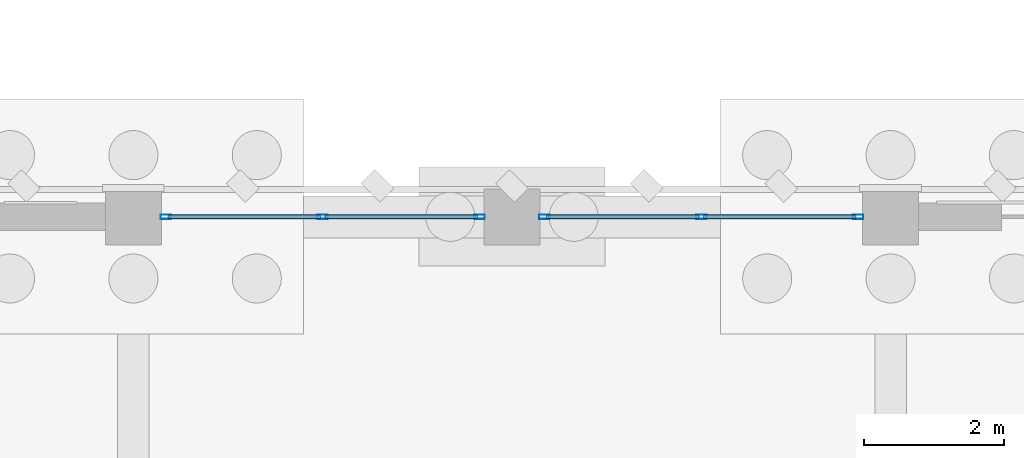
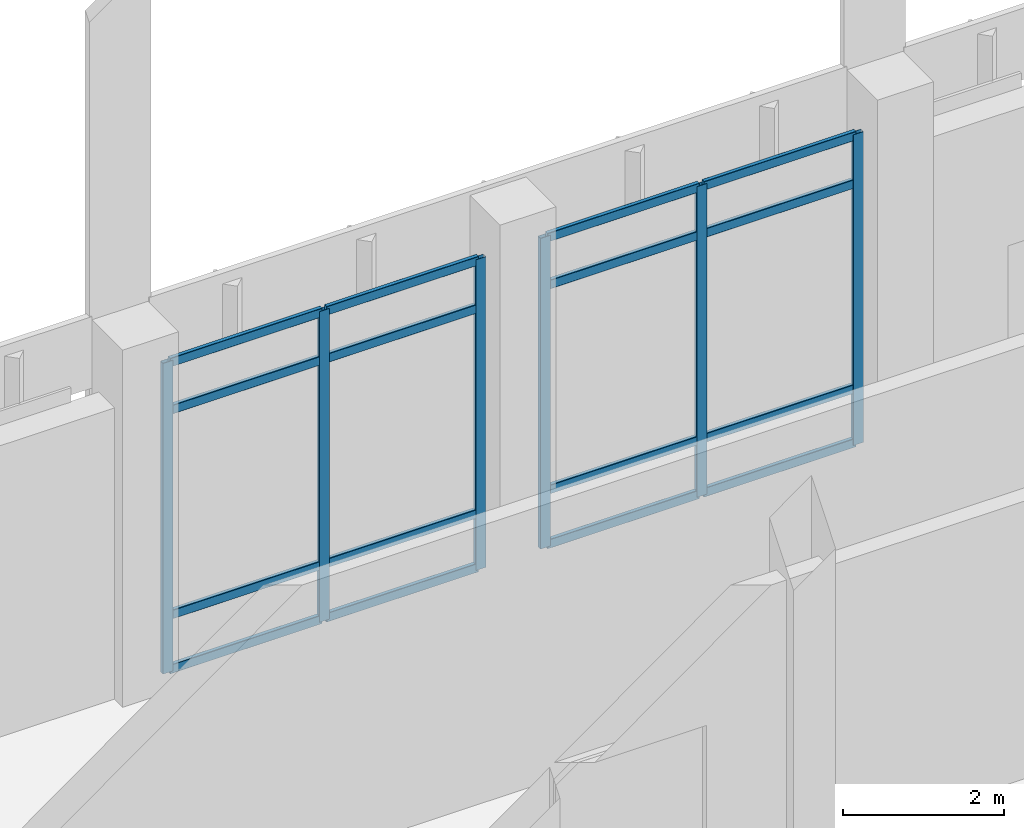
# One storey, part 30 of 109: 22 members, 2 elements without a shape of their own.
"""IFC4 building model written with IfcOpenShell, lengths in metres."""

from ifc_helpers import new_model, si_unit, direction, frame, origin, origin_2d, place, context, subcontext, project, spatial, hollow_rectangle, extrude, material, material_profile, profile_set, type_object, element, aggregate, save


model = new_model("IFC4")

# Units and contexts
model_context = context("Model", 3, precision=1e-05, world=origin(), true_north=direction((0.0, 1.0)))
body_context = subcontext(model_context, "Body", "Model", "MODEL_VIEW")
ifc_project = project(units=[si_unit("LENGTHUNIT", "METRE"), si_unit("AREAUNIT", "SQUARE_METRE"), si_unit("VOLUMEUNIT", "CUBIC_METRE"), si_unit("PLANEANGLEUNIT", "RADIAN"), si_unit("MASSUNIT", "GRAM", prefix="KILO")], contexts=[model_context])

# Site, building, storey
site_placement = place(None, origin())
site = spatial("IfcSite", under=ifc_project, at=site_placement, CompositionType="ELEMENT")
building_placement = place(site_placement, origin())
building = spatial("IfcBuilding", under=site, at=building_placement, Name="Lusvemor Sports Hall", CompositionType="ELEMENT")
storey_placement = place(building_placement, origin())
storey = spatial("IfcBuildingStorey", under=building, at=storey_placement, Name="L00", CompositionType="ELEMENT", Elevation=0.0)

# Curtain wall, members
ifc_material_1 = material(Name="Thermally broken bronze-anodized aluminium", Category="aluminium")
curtain_wall_type = type_object("IfcCurtainWallType", Name="CW_COURT_C", PredefinedType="NOTDEFINED", material=ifc_material_1)
curtain_wall_1_placement = place(storey_placement, origin())
curtain_wall_1 = element("IfcCurtainWall", 1, at=curtain_wall_1_placement, inside=storey, type_object=curtain_wall_type, Name="Curtain Wall CW-V1N-L00-3-A", PredefinedType="NOTDEFINED")
ifc_material_2 = material(Name="Thermally broken bronze-anodized aluminium", Category="aluminium")
ifc_material_profile_1 = material_profile(ifc_material_2, hollow_rectangle(XDim=0.06494140625, YDim=0.14990234375, WallThickness=0.00390625, InnerFilletRadius=0.00390625, OuterFilletRadius=0.008056640625, at=origin_2d()), Name="CWMUL150x65x4")
ifc_profile_set_1 = profile_set([ifc_material_profile_1], Name="Thermally broken bronze-anodized aluminium")
member_type_1 = type_object("IfcMemberType", Name="CW_MUL_B", PredefinedType="MULLION", material=ifc_profile_set_1)
member_1_placement = place(storey_placement, frame((32.862548828125, 46.800048828125, 0.0), z_axis=(0.0, 0.0, 1.0), x_axis=(0.0, 1.0, 0.0)))
member_1 = element("IfcMember", 2, at=member_1_placement, type_object=member_type_1, Name="CW03 mullion 1", PredefinedType="MULLION", context=body_context, shape_type="SweptSolid", body=[
    extrude(hollow_rectangle(XDim=0.06494140625, YDim=0.14990234375, WallThickness=0.00390625, InnerFilletRadius=0.00390625, OuterFilletRadius=0.008056640625, at=origin_2d()), origin(), (0.0, 0.0, 1.0), 4.699951171875),
])
member_2_placement = place(storey_placement, frame((35.10009765625, 46.800048828125, 0.0), z_axis=(0.0, 0.0, 1.0), x_axis=(0.0, 1.0, 0.0)))
member_2 = element("IfcMember", 3, at=member_2_placement, type_object=member_type_1, Name="CW03 mullion 2", PredefinedType="MULLION", context=body_context, shape_type="SweptSolid", body=[
    extrude(hollow_rectangle(XDim=0.06494140625, YDim=0.14990234375, WallThickness=0.00390625, InnerFilletRadius=0.00390625, OuterFilletRadius=0.008056640625, at=origin_2d()), origin(), (0.0, 0.0, 1.0), 4.699951171875),
])
member_3_placement = place(storey_placement, frame((37.33740234375, 46.800048828125, 0.0), z_axis=(0.0, 0.0, 1.0), x_axis=(0.0, 1.0, 0.0)))
member_3 = element("IfcMember", 4, at=member_3_placement, type_object=member_type_1, Name="CW03 mullion 3", PredefinedType="MULLION", context=body_context, shape_type="SweptSolid", body=[
    extrude(hollow_rectangle(XDim=0.06494140625, YDim=0.14990234375, WallThickness=0.00390625, InnerFilletRadius=0.00390625, OuterFilletRadius=0.008056640625, at=origin_2d()), origin(), (0.0, 0.0, 1.0), 4.699951171875),
])

curtain_wall_2_placement = place(storey_placement, origin())
curtain_wall_2 = element("IfcCurtainWall", 5, at=curtain_wall_2_placement, inside=storey, type_object=curtain_wall_type, Name="Curtain Wall CW-V1N-L00-3-B", PredefinedType="NOTDEFINED")
member_4_placement = place(storey_placement, frame((38.262451171875, 46.800048828125, 0.0), z_axis=(0.0, 0.0, 1.0), x_axis=(0.0, 1.0, 0.0)))
member_4 = element("IfcMember", 6, at=member_4_placement, type_object=member_type_1, Name="CW03 mullion 1", PredefinedType="MULLION", context=body_context, shape_type="SweptSolid", body=[
    extrude(hollow_rectangle(XDim=0.06494140625, YDim=0.14990234375, WallThickness=0.00390625, InnerFilletRadius=0.00390625, OuterFilletRadius=0.008056640625, at=origin_2d()), origin(), (0.0, 0.0, 1.0), 4.699951171875),
])
member_5_placement = place(storey_placement, frame((40.5, 46.800048828125, 0.0), z_axis=(0.0, 0.0, 1.0), x_axis=(0.0, 1.0, 0.0)))
member_5 = element("IfcMember", 7, at=member_5_placement, type_object=member_type_1, Name="CW03 mullion 2", PredefinedType="MULLION", context=body_context, shape_type="SweptSolid", body=[
    extrude(hollow_rectangle(XDim=0.06494140625, YDim=0.14990234375, WallThickness=0.00390625, InnerFilletRadius=0.00390625, OuterFilletRadius=0.008056640625, at=origin_2d()), origin(), (0.0, 0.0, 1.0), 4.699951171875),
])
member_6_placement = place(storey_placement, frame((42.737548828125, 46.800048828125, 0.0), z_axis=(0.0, 0.0, 1.0), x_axis=(0.0, 1.0, 0.0)))
member_6 = element("IfcMember", 8, at=member_6_placement, type_object=member_type_1, Name="CW03 mullion 3", PredefinedType="MULLION", context=body_context, shape_type="SweptSolid", body=[
    extrude(hollow_rectangle(XDim=0.06494140625, YDim=0.14990234375, WallThickness=0.00390625, InnerFilletRadius=0.00390625, OuterFilletRadius=0.008056640625, at=origin_2d()), origin(), (0.0, 0.0, 1.0), 4.699951171875),
])

# Member
ifc_material_3 = material(Name="Thermally broken bronze-anodized aluminium", Category="aluminium")
ifc_material_profile_2 = material_profile(ifc_material_3, hollow_rectangle(XDim=0.06005859375, YDim=0.135009765625, WallThickness=0.00390625, InnerFilletRadius=0.00390625, OuterFilletRadius=0.008056640625, at=origin_2d()), Name="CWTRN135x60x4")
ifc_profile_set_2 = profile_set([ifc_material_profile_2], Name="Thermally broken bronze-anodized aluminium")
member_type_2 = type_object("IfcMemberType", Name="CW_TRN_B", PredefinedType="USERDEFINED", material=ifc_profile_set_2)
member_7_placement = place(storey_placement, frame((32.89501953125, 46.800048828125, 0.030029296875), z_axis=(1.0, 0.0, 0.0), x_axis=(0.0, 1.0, 0.0)))
member_7 = element("IfcMember", 9, at=member_7_placement, type_object=member_type_2, Name="CW03 transom 1.1", ObjectType="TRANSOM", PredefinedType="USERDEFINED", context=body_context, shape_type="SweptSolid", body=[
    extrude(hollow_rectangle(XDim=0.06005859375, YDim=0.135009765625, WallThickness=0.00390625, InnerFilletRadius=0.00390625, OuterFilletRadius=0.008056640625, at=origin_2d()), origin(), (0.0, 0.0, 1.0), 2.17236328125),
])

member_8_placement = place(storey_placement, frame((32.89501953125, 46.800048828125, 0.85009765625), z_axis=(1.0, 0.0, 0.0), x_axis=(0.0, 1.0, 0.0)))
member_8 = element("IfcMember", 10, at=member_8_placement, type_object=member_type_2, Name="CW03 transom 1.2", ObjectType="TRANSOM", PredefinedType="USERDEFINED", context=body_context, shape_type="SweptSolid", body=[
    extrude(hollow_rectangle(XDim=0.06005859375, YDim=0.135009765625, WallThickness=0.00390625, InnerFilletRadius=0.00390625, OuterFilletRadius=0.008056640625, at=origin_2d()), origin(), (0.0, 0.0, 1.0), 2.17236328125),
])

member_9_placement = place(storey_placement, frame((32.89501953125, 46.800048828125, 3.949951171875), z_axis=(1.0, 0.0, 0.0), x_axis=(0.0, 1.0, 0.0)))
member_9 = element("IfcMember", 11, at=member_9_placement, type_object=member_type_2, Name="CW03 transom 1.3", ObjectType="TRANSOM", PredefinedType="USERDEFINED", context=body_context, shape_type="SweptSolid", body=[
    extrude(hollow_rectangle(XDim=0.06005859375, YDim=0.135009765625, WallThickness=0.00390625, InnerFilletRadius=0.00390625, OuterFilletRadius=0.008056640625, at=origin_2d()), origin(), (0.0, 0.0, 1.0), 2.17236328125),
])

member_10_placement = place(storey_placement, frame((32.89501953125, 46.800048828125, 4.669921875), z_axis=(1.0, 0.0, 0.0), x_axis=(0.0, 1.0, 0.0)))
member_10 = element("IfcMember", 12, at=member_10_placement, type_object=member_type_2, Name="CW03 transom 1.4", ObjectType="TRANSOM", PredefinedType="USERDEFINED", context=body_context, shape_type="SweptSolid", body=[
    extrude(hollow_rectangle(XDim=0.06005859375, YDim=0.135009765625, WallThickness=0.00390625, InnerFilletRadius=0.00390625, OuterFilletRadius=0.008056640625, at=origin_2d()), origin(), (0.0, 0.0, 1.0), 2.17236328125),
])

member_11_placement = place(storey_placement, frame((35.132568359375, 46.800048828125, 0.030029296875), z_axis=(1.0, 0.0, 0.0), x_axis=(0.0, 1.0, 0.0)))
member_11 = element("IfcMember", 13, at=member_11_placement, type_object=member_type_2, Name="CW03 transom 2.1", ObjectType="TRANSOM", PredefinedType="USERDEFINED", context=body_context, shape_type="SweptSolid", body=[
    extrude(hollow_rectangle(XDim=0.06005859375, YDim=0.135009765625, WallThickness=0.00390625, InnerFilletRadius=0.00390625, OuterFilletRadius=0.008056640625, at=origin_2d()), origin(), (0.0, 0.0, 1.0), 2.17236328125),
])

member_12_placement = place(storey_placement, frame((35.132568359375, 46.800048828125, 0.85009765625), z_axis=(1.0, 0.0, 0.0), x_axis=(0.0, 1.0, 0.0)))
member_12 = element("IfcMember", 14, at=member_12_placement, type_object=member_type_2, Name="CW03 transom 2.2", ObjectType="TRANSOM", PredefinedType="USERDEFINED", context=body_context, shape_type="SweptSolid", body=[
    extrude(hollow_rectangle(XDim=0.06005859375, YDim=0.135009765625, WallThickness=0.00390625, InnerFilletRadius=0.00390625, OuterFilletRadius=0.008056640625, at=origin_2d()), origin(), (0.0, 0.0, 1.0), 2.17236328125),
])

member_13_placement = place(storey_placement, frame((35.132568359375, 46.800048828125, 3.949951171875), z_axis=(1.0, 0.0, 0.0), x_axis=(0.0, 1.0, 0.0)))
member_13 = element("IfcMember", 15, at=member_13_placement, type_object=member_type_2, Name="CW03 transom 2.3", ObjectType="TRANSOM", PredefinedType="USERDEFINED", context=body_context, shape_type="SweptSolid", body=[
    extrude(hollow_rectangle(XDim=0.06005859375, YDim=0.135009765625, WallThickness=0.00390625, InnerFilletRadius=0.00390625, OuterFilletRadius=0.008056640625, at=origin_2d()), origin(), (0.0, 0.0, 1.0), 2.17236328125),
])

member_14_placement = place(storey_placement, frame((35.132568359375, 46.800048828125, 4.669921875), z_axis=(1.0, 0.0, 0.0), x_axis=(0.0, 1.0, 0.0)))
member_14 = element("IfcMember", 16, at=member_14_placement, type_object=member_type_2, Name="CW03 transom 2.4", ObjectType="TRANSOM", PredefinedType="USERDEFINED", context=body_context, shape_type="SweptSolid", body=[
    extrude(hollow_rectangle(XDim=0.06005859375, YDim=0.135009765625, WallThickness=0.00390625, InnerFilletRadius=0.00390625, OuterFilletRadius=0.008056640625, at=origin_2d()), origin(), (0.0, 0.0, 1.0), 2.17236328125),
])

aggregate(curtain_wall_1, [member_1, member_2, member_3, member_7, member_8, member_9, member_10, member_11, member_12, member_13, member_14])

member_15_placement = place(storey_placement, frame((38.294921875, 46.800048828125, 0.030029296875), z_axis=(1.0, 0.0, 0.0), x_axis=(0.0, 1.0, 0.0)))
member_15 = element("IfcMember", 17, at=member_15_placement, type_object=member_type_2, Name="CW03 transom 1.1", ObjectType="TRANSOM", PredefinedType="USERDEFINED", context=body_context, shape_type="SweptSolid", body=[
    extrude(hollow_rectangle(XDim=0.06005859375, YDim=0.135009765625, WallThickness=0.00390625, InnerFilletRadius=0.00390625, OuterFilletRadius=0.008056640625, at=origin_2d()), origin(), (0.0, 0.0, 1.0), 2.172607421875),
])

member_16_placement = place(storey_placement, frame((38.294921875, 46.800048828125, 0.85009765625), z_axis=(1.0, 0.0, 0.0), x_axis=(0.0, 1.0, 0.0)))
member_16 = element("IfcMember", 18, at=member_16_placement, type_object=member_type_2, Name="CW03 transom 1.2", ObjectType="TRANSOM", PredefinedType="USERDEFINED", context=body_context, shape_type="SweptSolid", body=[
    extrude(hollow_rectangle(XDim=0.06005859375, YDim=0.135009765625, WallThickness=0.00390625, InnerFilletRadius=0.00390625, OuterFilletRadius=0.008056640625, at=origin_2d()), origin(), (0.0, 0.0, 1.0), 2.172607421875),
])

member_17_placement = place(storey_placement, frame((38.294921875, 46.800048828125, 3.949951171875), z_axis=(1.0, 0.0, 0.0), x_axis=(0.0, 1.0, 0.0)))
member_17 = element("IfcMember", 19, at=member_17_placement, type_object=member_type_2, Name="CW03 transom 1.3", ObjectType="TRANSOM", PredefinedType="USERDEFINED", context=body_context, shape_type="SweptSolid", body=[
    extrude(hollow_rectangle(XDim=0.06005859375, YDim=0.135009765625, WallThickness=0.00390625, InnerFilletRadius=0.00390625, OuterFilletRadius=0.008056640625, at=origin_2d()), origin(), (0.0, 0.0, 1.0), 2.172607421875),
])

member_18_placement = place(storey_placement, frame((38.294921875, 46.800048828125, 4.669921875), z_axis=(1.0, 0.0, 0.0), x_axis=(0.0, 1.0, 0.0)))
member_18 = element("IfcMember", 20, at=member_18_placement, type_object=member_type_2, Name="CW03 transom 1.4", ObjectType="TRANSOM", PredefinedType="USERDEFINED", context=body_context, shape_type="SweptSolid", body=[
    extrude(hollow_rectangle(XDim=0.06005859375, YDim=0.135009765625, WallThickness=0.00390625, InnerFilletRadius=0.00390625, OuterFilletRadius=0.008056640625, at=origin_2d()), origin(), (0.0, 0.0, 1.0), 2.172607421875),
])

member_19_placement = place(storey_placement, frame((40.532470703125, 46.800048828125, 0.030029296875), z_axis=(1.0, 0.0, 0.0), x_axis=(0.0, 1.0, 0.0)))
member_19 = element("IfcMember", 21, at=member_19_placement, type_object=member_type_2, Name="CW03 transom 2.1", ObjectType="TRANSOM", PredefinedType="USERDEFINED", context=body_context, shape_type="SweptSolid", body=[
    extrude(hollow_rectangle(XDim=0.06005859375, YDim=0.135009765625, WallThickness=0.00390625, InnerFilletRadius=0.00390625, OuterFilletRadius=0.008056640625, at=origin_2d()), origin(), (0.0, 0.0, 1.0), 2.172607421875),
])

member_20_placement = place(storey_placement, frame((40.532470703125, 46.800048828125, 0.85009765625), z_axis=(1.0, 0.0, 0.0), x_axis=(0.0, 1.0, 0.0)))
member_20 = element("IfcMember", 22, at=member_20_placement, type_object=member_type_2, Name="CW03 transom 2.2", ObjectType="TRANSOM", PredefinedType="USERDEFINED", context=body_context, shape_type="SweptSolid", body=[
    extrude(hollow_rectangle(XDim=0.06005859375, YDim=0.135009765625, WallThickness=0.00390625, InnerFilletRadius=0.00390625, OuterFilletRadius=0.008056640625, at=origin_2d()), origin(), (0.0, 0.0, 1.0), 2.172607421875),
])

member_21_placement = place(storey_placement, frame((40.532470703125, 46.800048828125, 3.949951171875), z_axis=(1.0, 0.0, 0.0), x_axis=(0.0, 1.0, 0.0)))
member_21 = element("IfcMember", 23, at=member_21_placement, type_object=member_type_2, Name="CW03 transom 2.3", ObjectType="TRANSOM", PredefinedType="USERDEFINED", context=body_context, shape_type="SweptSolid", body=[
    extrude(hollow_rectangle(XDim=0.06005859375, YDim=0.135009765625, WallThickness=0.00390625, InnerFilletRadius=0.00390625, OuterFilletRadius=0.008056640625, at=origin_2d()), origin(), (0.0, 0.0, 1.0), 2.172607421875),
])

member_22_placement = place(storey_placement, frame((40.532470703125, 46.800048828125, 4.669921875), z_axis=(1.0, 0.0, 0.0), x_axis=(0.0, 1.0, 0.0)))
member_22 = element("IfcMember", 24, at=member_22_placement, type_object=member_type_2, Name="CW03 transom 2.4", ObjectType="TRANSOM", PredefinedType="USERDEFINED", context=body_context, shape_type="SweptSolid", body=[
    extrude(hollow_rectangle(XDim=0.06005859375, YDim=0.135009765625, WallThickness=0.00390625, InnerFilletRadius=0.00390625, OuterFilletRadius=0.008056640625, at=origin_2d()), origin(), (0.0, 0.0, 1.0), 2.172607421875),
])

aggregate(curtain_wall_2, [member_4, member_5, member_6, member_15, member_16, member_17, member_18, member_19, member_20, member_21, member_22])

save(model, "model.ifc")
